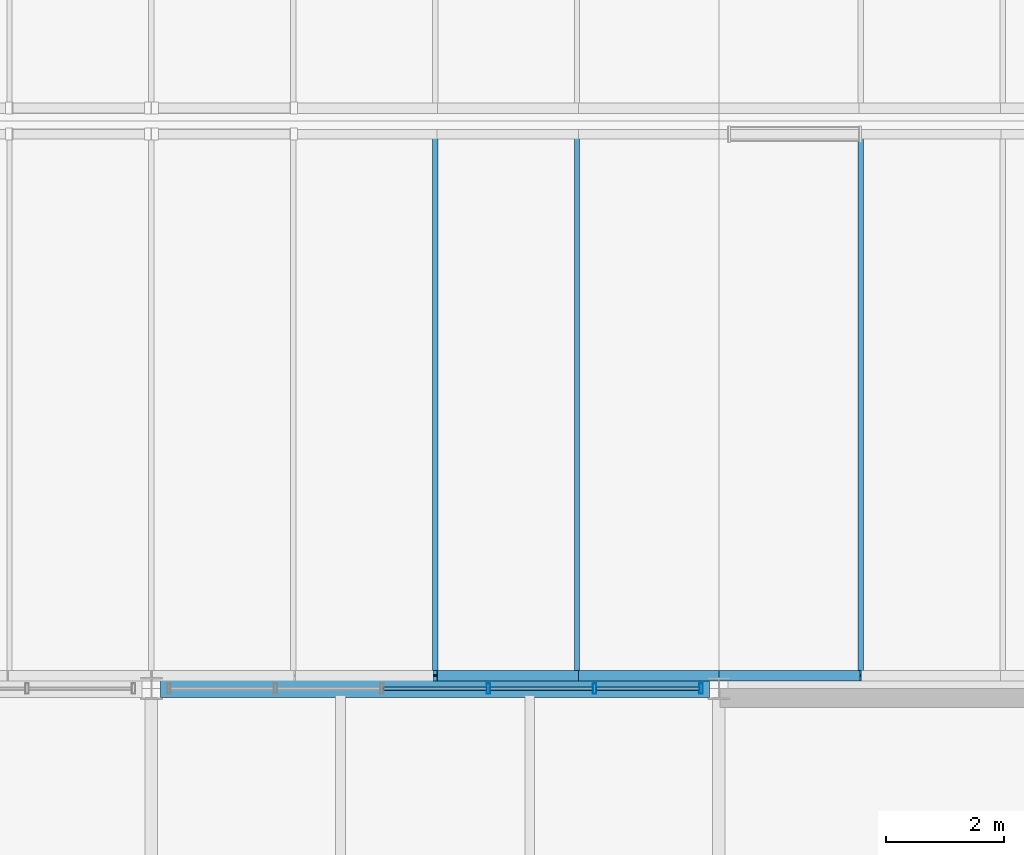
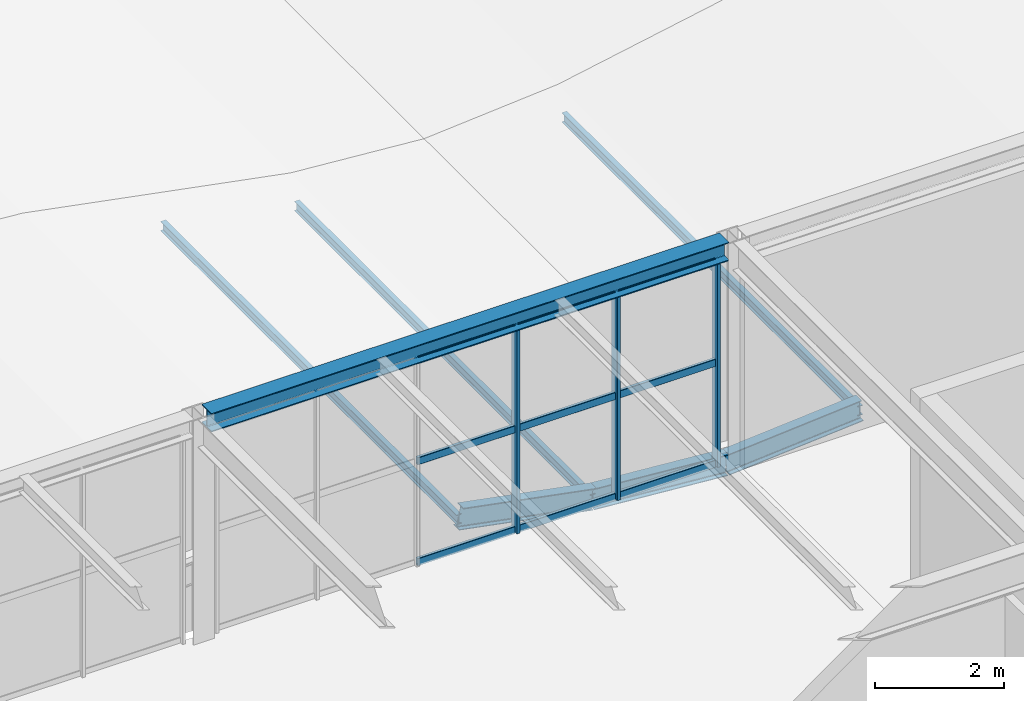
# One storey, part 107 of 170: 15 members, 4 beams, 1 element without a shape of its own.
"""IFC4 building model written with IfcOpenShell, lengths in metres."""

from ifc_helpers import new_model, si_unit, direction, frame, origin, origin_2d, place, context, subcontext, project, spatial, hollow_rectangle, i_section, extrude, material, material_profile, profile_set, type_object, element, aggregate, save


model = new_model("IFC4")

# Units and contexts
model_context = context("Model", 3, precision=1e-05, world=origin(), true_north=direction((0.0, 1.0)))
body_context = subcontext(model_context, "Body", "Model", "MODEL_VIEW")
ifc_project = project(units=[si_unit("LENGTHUNIT", "METRE"), si_unit("AREAUNIT", "SQUARE_METRE"), si_unit("VOLUMEUNIT", "CUBIC_METRE"), si_unit("PLANEANGLEUNIT", "RADIAN"), si_unit("MASSUNIT", "GRAM", prefix="KILO")], contexts=[model_context])

# Site, building, storey
site_placement = place(None, origin())
site = spatial("IfcSite", under=ifc_project, at=site_placement, CompositionType="ELEMENT")
building_placement = place(site_placement, origin())
building = spatial("IfcBuilding", under=site, at=building_placement, Name="Coralgate Yard Interchange", CompositionType="ELEMENT")
storey_placement = place(building_placement, frame((0.0, 0.0, 6.0)))
storey = spatial("IfcBuildingStorey", under=building, at=storey_placement, Name="L01", CompositionType="ELEMENT", Elevation=6.0)

# Beams
ifc_material_1 = material(Name="Structural steel S355J2", Category="steel")
ifc_material_profile_1 = material_profile(ifc_material_1, i_section(OverallWidth=0.300048828125, OverallDepth=0.35009765625, WebThickness=0.010009765625, FlangeThickness=0.017578125, FilletRadius=0.027099609375, at=origin_2d()), Name="HEA 360")
ifc_profile_set_1 = profile_set([ifc_material_profile_1], Name="Structural steel S355J2")
beam_type_1 = type_object("IfcBeamType", Name="BM-SP-1", PredefinedType="SPANDREL", material=ifc_profile_set_1)
beam_1_placement = place(storey_placement, frame((67.356201171875, 96.0, 4.074951171875), z_axis=(1.0, 0.0, 0.0), x_axis=(0.0, 1.0, 0.0)))
element("IfcBeam", 1, at=beam_1_placement, inside=storey, type_object=beam_type_1, Name="L01 primary grid beam Y10 X7-8", PredefinedType="SPANDREL", context=body_context, shape_type="SweptSolid", body=[
    extrude(i_section(OverallWidth=0.300048828125, OverallDepth=0.35009765625, WebThickness=0.010009765625, FlangeThickness=0.017578125, FilletRadius=0.027099609375, at=origin_2d()), origin(), (0.0, 0.0, 1.0), 9.28759765625),
])
ifc_material_2 = material(Name="Off-white architectural structural steel S355J2", Category="steel")
ifc_material_profile_2 = material_profile(ifc_material_2, i_section(OverallWidth=0.179931640625, OverallDepth=0.39990234375, WebThickness=0.008544921875, FlangeThickness=0.013427734375, FilletRadius=0.02099609375, at=origin_2d()), Name="IPE 400")
ifc_profile_set_2 = profile_set([ifc_material_profile_2], Name="Off-white architectural structural steel S355J2")
beam_type_2 = type_object("IfcBeamType", Name="BM-WR-1", PredefinedType="BEAM", material=ifc_profile_set_2)
beam_2_placement = place(storey_placement, frame((72.0, 96.219970703125, 0.449951171875), z_axis=(0.98216147419, 0.0, -0.188039460267), x_axis=(0.0, 1.0, 0.0)))
element("IfcBeam", 2, at=beam_2_placement, inside=storey, type_object=beam_type_2, Name="Wave-shell steel arch rib R1-W2-S7", PredefinedType="BEAM", context=body_context, shape_type="SweptSolid", body=[
    extrude(i_section(OverallWidth=0.179931640625, OverallDepth=0.39990234375, WebThickness=0.008544921875, FlangeThickness=0.013427734375, FilletRadius=0.02099609375, at=origin_2d()), origin(), (0.0, 0.0, 1.0), 2.443603515625),
])
beam_3_placement = place(storey_placement, frame((74.39990234375, 96.219970703125, -0.009521484375), z_axis=(0.996867296401, 0.0, -0.079092309144), x_axis=(0.0, 1.0, 0.0)))
element("IfcBeam", 3, at=beam_3_placement, inside=storey, type_object=beam_type_2, Name="Wave-shell steel arch rib R1-W2-S8", PredefinedType="BEAM", context=body_context, shape_type="SweptSolid", body=[
    extrude(i_section(OverallWidth=0.179931640625, OverallDepth=0.39990234375, WebThickness=0.008544921875, FlangeThickness=0.013427734375, FilletRadius=0.02099609375, at=origin_2d()), origin(), (0.0, 0.0, 1.0), 2.40771484375),
])
beam_4_placement = place(storey_placement, frame((76.800048828125, 96.219970703125, -0.199951171875), z_axis=(0.996866661985, 0.0, 0.079100304817), x_axis=(0.0, 1.0, 0.0)))
element("IfcBeam", 4, at=beam_4_placement, inside=storey, type_object=beam_type_2, Name="Wave-shell steel arch rib R1-W3-S1", PredefinedType="BEAM", context=body_context, shape_type="SweptSolid", body=[
    extrude(i_section(OverallWidth=0.179931640625, OverallDepth=0.39990234375, WebThickness=0.008544921875, FlangeThickness=0.013427734375, FilletRadius=0.02099609375, at=origin_2d()), origin(), (0.0, 0.0, 1.0), 2.407470703125),
])

# Curtain wall, members
ifc_material_3 = material(Name="Anodised coastal aluminium and solar-control low-E glass", Category="aluminium")
curtain_wall_type = type_object("IfcCurtainWallType", Name="CW-CW-L01-B", PredefinedType="NOTDEFINED", material=ifc_material_3)
curtain_wall_placement = place(storey_placement, origin())
curtain_wall = element("IfcCurtainWall", 5, at=curtain_wall_placement, inside=storey, type_object=curtain_wall_type, Name="L01 unitised curtain wall CW-L01-N-07-09", PredefinedType="NOTDEFINED")
ifc_material_4 = material(Name="Anodised coastal aluminium 6063-T6", Category="aluminium")
ifc_material_profile_3 = material_profile(ifc_material_4, hollow_rectangle(XDim=0.06005859375, YDim=0.179931640625, WallThickness=0.00390625, InnerFilletRadius=0.00390625, OuterFilletRadius=0.008056640625, at=origin_2d()), Name="ALU 60x180x4")
ifc_profile_set_3 = profile_set([ifc_material_profile_3], Name="Anodised coastal aluminium 6063-T6")
member_type_1 = type_object("IfcMemberType", Name="MB-MUL-180", PredefinedType="MULLION", material=ifc_profile_set_3)
member_1_placement = place(storey_placement, frame((72.89990234375, 96.0, 0.0), z_axis=(0.0, 0.0, 1.0), x_axis=(1.0, 0.0, 0.0)))
member_1 = element("IfcMember", 6, at=member_1_placement, type_object=member_type_1, Name="CW-L01-N-07-09 vertical mullion 4", PredefinedType="MULLION", context=body_context, shape_type="SweptSolid", body=[
    extrude(hollow_rectangle(XDim=0.06005859375, YDim=0.179931640625, WallThickness=0.00390625, InnerFilletRadius=0.00390625, OuterFilletRadius=0.008056640625, at=origin_2d()), origin(), (0.0, 0.0, 1.0), 3.89990234375),
])
member_2_placement = place(storey_placement, frame((74.699951171875, 96.0, 0.0), z_axis=(0.0, 0.0, 1.0), x_axis=(1.0, 0.0, 0.0)))
member_2 = element("IfcMember", 7, at=member_2_placement, type_object=member_type_1, Name="CW-L01-N-07-09 vertical mullion 5", PredefinedType="MULLION", context=body_context, shape_type="SweptSolid", body=[
    extrude(hollow_rectangle(XDim=0.06005859375, YDim=0.179931640625, WallThickness=0.00390625, InnerFilletRadius=0.00390625, OuterFilletRadius=0.008056640625, at=origin_2d()), origin(), (0.0, 0.0, 1.0), 3.89990234375),
])
member_3_placement = place(storey_placement, frame((76.5, 96.0, 0.0), z_axis=(0.0, 0.0, 1.0), x_axis=(1.0, 0.0, 0.0)))
member_3 = element("IfcMember", 8, at=member_3_placement, type_object=member_type_1, Name="CW-L01-N-07-09 vertical mullion 6", PredefinedType="MULLION", context=body_context, shape_type="SweptSolid", body=[
    extrude(hollow_rectangle(XDim=0.06005859375, YDim=0.179931640625, WallThickness=0.00390625, InnerFilletRadius=0.00390625, OuterFilletRadius=0.008056640625, at=origin_2d()), origin(), (0.0, 0.0, 1.0), 3.89990234375),
])

# Members
ifc_material_profile_4 = material_profile(ifc_material_2, i_section(OverallWidth=0.091064453125, OverallDepth=0.179931640625, WebThickness=0.00537109375, FlangeThickness=0.008056640625, FilletRadius=0.009033203125, at=origin_2d()), Name="IPE 180")
ifc_profile_set_4 = profile_set([ifc_material_profile_4], Name="Off-white architectural structural steel S355J2")
member_type_2 = type_object("IfcMemberType", Name="MB-PR-2", PredefinedType="PURLIN", material=ifc_profile_set_4)
for number, where, z_axis, x_axis, name in (
    (9, (72.0, 96.199951171875, 0.409912109375), (0.0, 1.0, 0.0), (-1.0, 0.0, 0.0), "Wave-shell purlin R1-W2-7"),
    (10, (74.39990234375, 96.199951171875, -0.049560546875), (0.0, 1.0, 0.0), (-1.0, 0.0, 0.0), "Wave-shell purlin R1-W2-8"),
    (11, (79.199951171875, 96.199951171875, -0.049560546875), (0.0, 1.0, 0.0), (-1.0, 0.0, 0.0), "Wave-shell purlin R1-W3-2"),
):
    element("IfcMember", number, at=place(storey_placement, frame(where, z_axis=z_axis, x_axis=x_axis)), inside=storey, type_object=member_type_2, Name=name, PredefinedType="PURLIN", context=body_context, shape_type="SweptSolid", body=[
        extrude(i_section(OverallWidth=0.091064453125, OverallDepth=0.179931640625, WebThickness=0.00537109375, FlangeThickness=0.008056640625, FilletRadius=0.009033203125, at=origin_2d()), origin(), (0.0, 0.0, 1.0), 9.199951171875),
    ])

# Member
ifc_material_profile_5 = material_profile(ifc_material_4, hollow_rectangle(XDim=0.06005859375, YDim=0.139892578125, WallThickness=0.00341796875, InnerFilletRadius=0.00341796875, OuterFilletRadius=0.007080078125, at=origin_2d()), Name="ALU 60x140x3.5")
ifc_profile_set_5 = profile_set([ifc_material_profile_5], Name="Anodised coastal aluminium 6063-T6")
member_type_3 = type_object("IfcMemberType", Name="MB-TRN-140", PredefinedType="USERDEFINED", material=ifc_profile_set_5)
member_4_placement = place(storey_placement, frame((71.1298828125, 96.0, 0.034912109375), z_axis=(1.0, 0.0, 0.0), x_axis=(0.0, 1.0, 0.0)))
member_4 = element("IfcMember", 12, at=member_4_placement, type_object=member_type_3, Name="CW-L01-N-07-09 horizontal transom 3-1", ObjectType="TRANSOM", PredefinedType="USERDEFINED", context=body_context, shape_type="SweptSolid", body=[
    extrude(hollow_rectangle(XDim=0.06005859375, YDim=0.139892578125, WallThickness=0.00341796875, InnerFilletRadius=0.00341796875, OuterFilletRadius=0.007080078125, at=origin_2d()), origin(), (0.0, 0.0, 1.0), 1.740234375),
])

member_5_placement = place(storey_placement, frame((71.1298828125, 96.0, 1.949951171875), z_axis=(1.0, 0.0, 0.0), x_axis=(0.0, 1.0, 0.0)))
member_5 = element("IfcMember", 13, at=member_5_placement, type_object=member_type_3, Name="CW-L01-N-07-09 horizontal transom 3-2", ObjectType="TRANSOM", PredefinedType="USERDEFINED", context=body_context, shape_type="SweptSolid", body=[
    extrude(hollow_rectangle(XDim=0.06005859375, YDim=0.139892578125, WallThickness=0.00341796875, InnerFilletRadius=0.00341796875, OuterFilletRadius=0.007080078125, at=origin_2d()), origin(), (0.0, 0.0, 1.0), 1.740234375),
])

member_6_placement = place(storey_placement, frame((71.1298828125, 96.0, 3.864990234375), z_axis=(1.0, 0.0, 0.0), x_axis=(0.0, 1.0, 0.0)))
member_6 = element("IfcMember", 14, at=member_6_placement, type_object=member_type_3, Name="CW-L01-N-07-09 horizontal transom 3-3", ObjectType="TRANSOM", PredefinedType="USERDEFINED", context=body_context, shape_type="SweptSolid", body=[
    extrude(hollow_rectangle(XDim=0.06005859375, YDim=0.139892578125, WallThickness=0.00341796875, InnerFilletRadius=0.00341796875, OuterFilletRadius=0.007080078125, at=origin_2d()), origin(), (0.0, 0.0, 1.0), 1.740234375),
])

member_7_placement = place(storey_placement, frame((72.929931640625, 96.0, 0.034912109375), z_axis=(1.0, 0.0, 0.0), x_axis=(0.0, 1.0, 0.0)))
member_7 = element("IfcMember", 15, at=member_7_placement, type_object=member_type_3, Name="CW-L01-N-07-09 horizontal transom 4-1", ObjectType="TRANSOM", PredefinedType="USERDEFINED", context=body_context, shape_type="SweptSolid", body=[
    extrude(hollow_rectangle(XDim=0.06005859375, YDim=0.139892578125, WallThickness=0.00341796875, InnerFilletRadius=0.00341796875, OuterFilletRadius=0.007080078125, at=origin_2d()), origin(), (0.0, 0.0, 1.0), 1.739990234375),
])

member_8_placement = place(storey_placement, frame((72.929931640625, 96.0, 1.949951171875), z_axis=(1.0, 0.0, 0.0), x_axis=(0.0, 1.0, 0.0)))
member_8 = element("IfcMember", 16, at=member_8_placement, type_object=member_type_3, Name="CW-L01-N-07-09 horizontal transom 4-2", ObjectType="TRANSOM", PredefinedType="USERDEFINED", context=body_context, shape_type="SweptSolid", body=[
    extrude(hollow_rectangle(XDim=0.06005859375, YDim=0.139892578125, WallThickness=0.00341796875, InnerFilletRadius=0.00341796875, OuterFilletRadius=0.007080078125, at=origin_2d()), origin(), (0.0, 0.0, 1.0), 1.739990234375),
])

member_9_placement = place(storey_placement, frame((72.929931640625, 96.0, 3.864990234375), z_axis=(1.0, 0.0, 0.0), x_axis=(0.0, 1.0, 0.0)))
member_9 = element("IfcMember", 17, at=member_9_placement, type_object=member_type_3, Name="CW-L01-N-07-09 horizontal transom 4-3", ObjectType="TRANSOM", PredefinedType="USERDEFINED", context=body_context, shape_type="SweptSolid", body=[
    extrude(hollow_rectangle(XDim=0.06005859375, YDim=0.139892578125, WallThickness=0.00341796875, InnerFilletRadius=0.00341796875, OuterFilletRadius=0.007080078125, at=origin_2d()), origin(), (0.0, 0.0, 1.0), 1.739990234375),
])

member_10_placement = place(storey_placement, frame((74.72998046875, 96.0, 0.034912109375), z_axis=(1.0, 0.0, 0.0), x_axis=(0.0, 1.0, 0.0)))
member_10 = element("IfcMember", 18, at=member_10_placement, type_object=member_type_3, Name="CW-L01-N-07-09 horizontal transom 5-1", ObjectType="TRANSOM", PredefinedType="USERDEFINED", context=body_context, shape_type="SweptSolid", body=[
    extrude(hollow_rectangle(XDim=0.06005859375, YDim=0.139892578125, WallThickness=0.00341796875, InnerFilletRadius=0.00341796875, OuterFilletRadius=0.007080078125, at=origin_2d()), origin(), (0.0, 0.0, 1.0), 1.739990234375),
])

member_11_placement = place(storey_placement, frame((74.72998046875, 96.0, 1.949951171875), z_axis=(1.0, 0.0, 0.0), x_axis=(0.0, 1.0, 0.0)))
member_11 = element("IfcMember", 19, at=member_11_placement, type_object=member_type_3, Name="CW-L01-N-07-09 horizontal transom 5-2", ObjectType="TRANSOM", PredefinedType="USERDEFINED", context=body_context, shape_type="SweptSolid", body=[
    extrude(hollow_rectangle(XDim=0.06005859375, YDim=0.139892578125, WallThickness=0.00341796875, InnerFilletRadius=0.00341796875, OuterFilletRadius=0.007080078125, at=origin_2d()), origin(), (0.0, 0.0, 1.0), 1.739990234375),
])

member_12_placement = place(storey_placement, frame((74.72998046875, 96.0, 3.864990234375), z_axis=(1.0, 0.0, 0.0), x_axis=(0.0, 1.0, 0.0)))
member_12 = element("IfcMember", 20, at=member_12_placement, type_object=member_type_3, Name="CW-L01-N-07-09 horizontal transom 5-3", ObjectType="TRANSOM", PredefinedType="USERDEFINED", context=body_context, shape_type="SweptSolid", body=[
    extrude(hollow_rectangle(XDim=0.06005859375, YDim=0.139892578125, WallThickness=0.00341796875, InnerFilletRadius=0.00341796875, OuterFilletRadius=0.007080078125, at=origin_2d()), origin(), (0.0, 0.0, 1.0), 1.739990234375),
])

aggregate(curtain_wall, [member_1, member_2, member_3, member_4, member_5, member_6, member_7, member_8, member_9, member_10, member_11, member_12])

save(model, "model.ifc")
